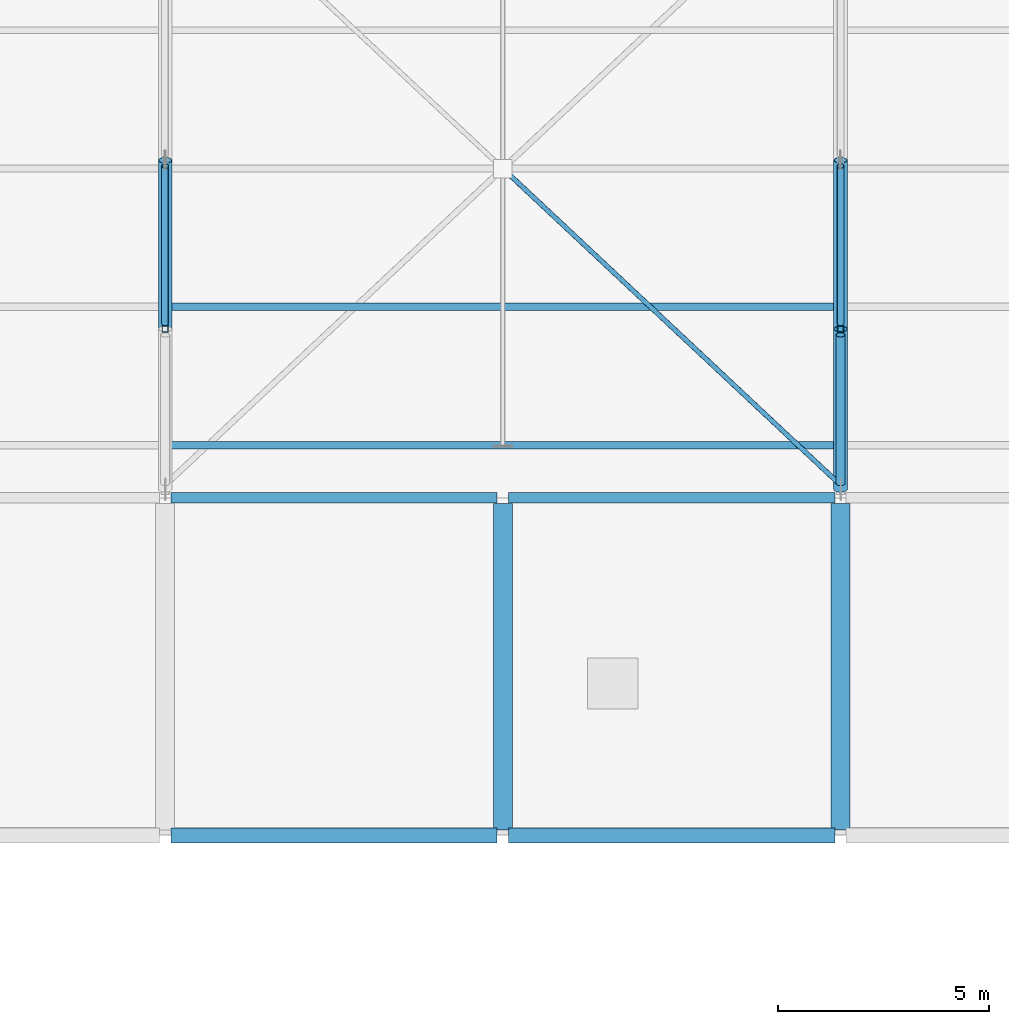
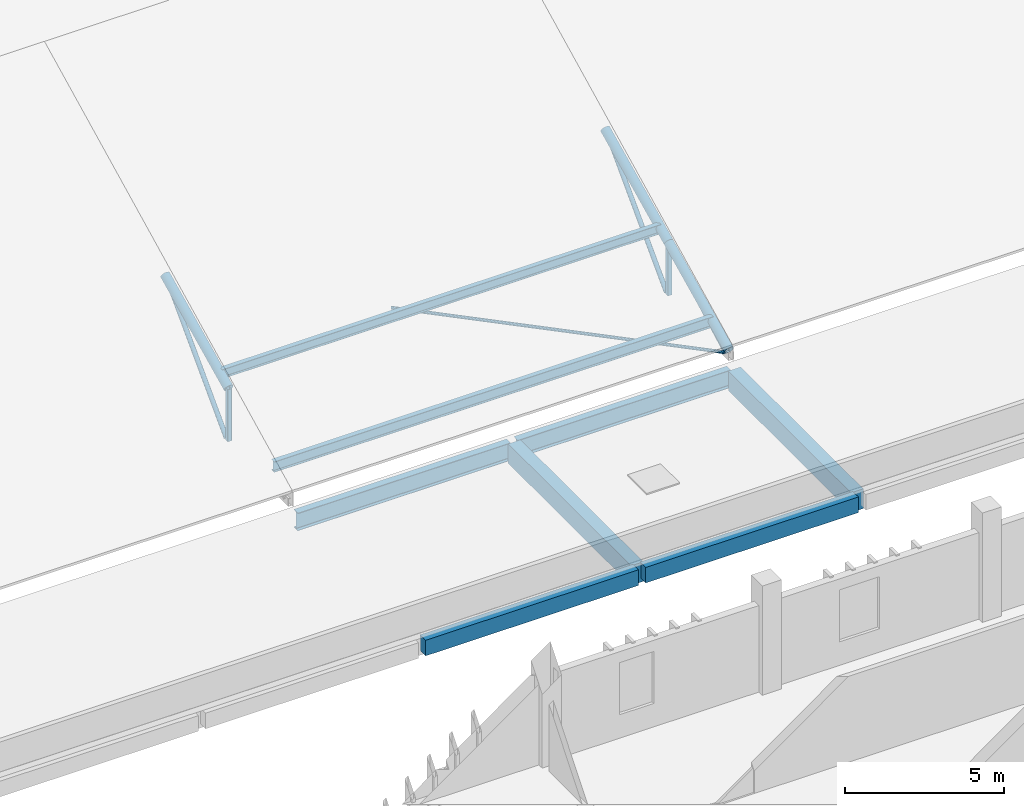
# One storey, part 69 of 137: 9 members, 8 beams.
"""IFC4 building model written with IfcOpenShell, lengths in metres."""

from ifc_helpers import new_model, si_unit, direction, frame, origin, origin_2d, place, context, subcontext, project, spatial, rectangle, hollow_rectangle, hollow_circle, i_section, extrude, material, material_profile, profile_set, type_object, element, save


model = new_model("IFC4")

# Units and contexts
model_context = context("Model", 3, precision=1e-05, world=origin(), true_north=direction((0.0, 1.0)))
body_context = subcontext(model_context, "Body", "Model", "MODEL_VIEW")
ifc_project = project(units=[si_unit("LENGTHUNIT", "METRE"), si_unit("AREAUNIT", "SQUARE_METRE"), si_unit("VOLUMEUNIT", "CUBIC_METRE"), si_unit("PLANEANGLEUNIT", "RADIAN"), si_unit("MASSUNIT", "GRAM", prefix="KILO")], contexts=[model_context])

# Site, building, storey
site_placement = place(None, origin())
site = spatial("IfcSite", under=ifc_project, at=site_placement, CompositionType="ELEMENT")
building_placement = place(site_placement, origin())
building = spatial("IfcBuilding", under=site, at=building_placement, Name="Jelvoka-Kovrelna Polytechnic", CompositionType="ELEMENT")
storey_placement = place(building_placement, frame((0.0, 0.0, 9.60009765625)))
storey = spatial("IfcBuildingStorey", under=building, at=storey_placement, Name="L03", CompositionType="ELEMENT", Elevation=9.60009765625)

# Beams
ifc_material_1 = material(Name="Concrete C40/50", Category="concrete")
ifc_material_profile_1 = material_profile(ifc_material_1, rectangle(XDim=0.449951171875, YDim=0.75, at=origin_2d()), Name="RC 450x750")
ifc_profile_set_1 = profile_set([ifc_material_profile_1], Name="Concrete C40/50")
beam_type_1 = type_object("IfcBeamType", Name="Beam_RC_450x750", PredefinedType="BEAM", material=ifc_profile_set_1)
for number, where, z_axis, x_axis, name in (
    (1, (160.0, 80.1337890625, -0.585205078125), (0.0, 1.0, 0.0), (-1.0, 0.0, 0.0), "L03 beam 2095"),
    (2, (168.0, 80.1337890625, -0.585205078125), (0.0, 1.0, 0.0), (-1.0, 0.0, 0.0), "L03 beam 2096"),
):
    element("IfcBeam", number, at=place(storey_placement, frame(where, z_axis=z_axis, x_axis=x_axis)), inside=storey, type_object=beam_type_1, Name=name, PredefinedType="BEAM", context=body_context, shape_type="SweptSolid", body=[
        extrude(rectangle(XDim=0.449951171875, YDim=0.75, at=origin_2d()), origin(), (0.0, 0.0, 1.0), 7.732421875),
    ])
ifc_material_2 = material(Name="Structural steel S355JR", Category="steel")
ifc_material_profile_2 = material_profile(ifc_material_2, i_section(OverallWidth=0.2529296875, OverallDepth=0.677978515625, WebThickness=0.01171875, FlangeThickness=0.01611328125, FilletRadius=0.01513671875, at=origin_2d()), Name="686x254x125 UB")
ifc_profile_set_2 = profile_set([ifc_material_profile_2], Name="Structural steel S355JR")
beam_type_2 = type_object("IfcBeamType", Name="Girder_Steel_UB686", PredefinedType="BEAM", material=ifc_profile_set_2)
for number, where, z_axis, x_axis, name in (
    (3, (152.1328125, 88.0, -0.549072265625), (1.0, 0.0, 0.0), (0.0, 1.0, 0.0), "L03 beam 0105"),
    (4, (160.1328125, 88.0, -0.549072265625), (1.0, 0.0, 0.0), (0.0, 1.0, 0.0), "L03 beam 0107"),
):
    element("IfcBeam", number, at=place(storey_placement, frame(where, z_axis=z_axis, x_axis=x_axis)), inside=storey, type_object=beam_type_2, Name=name, PredefinedType="BEAM", context=body_context, shape_type="SweptSolid", body=[
        extrude(i_section(OverallWidth=0.2529296875, OverallDepth=0.677978515625, WebThickness=0.01171875, FlangeThickness=0.01611328125, FilletRadius=0.01513671875, at=origin_2d()), origin(), (0.0, 0.0, 1.0), 7.734375),
    ])

# Members
ifc_material_3 = material(Name="Structural steel S355J2H", Category="steel")
ifc_material_profile_3 = material_profile(ifc_material_3, hollow_circle(Radius=0.05712890625, WallThickness=0.00634765625, at=origin_2d()), Name="114.3x6.3 CHS")
ifc_profile_set_3 = profile_set([ifc_material_profile_3], Name="Structural steel S355J2H")
member_type_1 = type_object("IfcMemberType", Name="Member_Brace_CHS114", PredefinedType="BRACE", material=ifc_profile_set_3)
member_1_placement = place(storey_placement, frame((160.065673828125, 95.738525390625, 0.14990234375), z_axis=(0.729679522085, -0.683789291412, 0.0), x_axis=(0.683789291412, 0.729679522085, 0.0)))
element("IfcMember", 5, at=member_1_placement, inside=storey, type_object=member_type_1, Name="Sawtooth roof split X-brace half-diagonal 0219B", PredefinedType="BRACE", context=body_context, shape_type="SweptSolid", body=[
    extrude(hollow_circle(Radius=0.05712890625, WallThickness=0.00634765625, at=origin_2d()), origin(), (0.0, 0.0, 1.0), 10.80517578125),
])
ifc_material_4 = material(Name="Structural steel S355J2H", Category="steel")
ifc_material_profile_4 = material_profile(ifc_material_4, hollow_circle(Radius=0.084228515625, WallThickness=0.008056640625, at=origin_2d()), Name="168.3x8.0 CHS")
ifc_profile_set_4 = profile_set([ifc_material_profile_4], Name="Structural steel S355J2H")
member_type_2 = type_object("IfcMemberType", Name="Member_Brace_CHS168", PredefinedType="BRACE", material=ifc_profile_set_4)
for number, where, z_axis, x_axis, name in (
    (6, (152.0, 92.139892578125, 0.14990234375), (0.0, 0.69521468222, 0.718802160282), (-1.0, 0.0, 0.0), "Sawtooth truss 5 diagonal web 1.2"),
    (7, (168.0, 92.139892578125, 0.14990234375), (0.0, 0.69521468222, 0.718802160282), (-1.0, 0.0, 0.0), "Sawtooth truss 6 diagonal web 1.2"),
):
    element("IfcMember", number, at=place(storey_placement, frame(where, z_axis=z_axis, x_axis=x_axis)), inside=storey, type_object=member_type_2, Name=name, PredefinedType="BRACE", context=body_context, shape_type="SweptSolid", body=[
        extrude(hollow_circle(Radius=0.084228515625, WallThickness=0.008056640625, at=origin_2d()), origin(), (0.0, 0.0, 1.0), 5.35107421875),
    ])
ifc_material_5 = material(Name="Structural steel S355J2H", Category="steel")
ifc_material_profile_5 = material_profile(ifc_material_5, hollow_circle(Radius=0.109619140625, WallThickness=0.008056640625, at=origin_2d()), Name="219.1x8.0 CHS")
ifc_profile_set_5 = profile_set([ifc_material_profile_5], Name="Structural steel S355J2H")
member_type_3 = type_object("IfcMemberType", Name="Member_Brace_CHS219", PredefinedType="BRACE", material=ifc_profile_set_5)
member_2_placement = place(storey_placement, frame((168.0, 88.340087890625, 0.14990234375), z_axis=(0.0, 0.878084029324, 0.478506465418), x_axis=(-1.0, 0.0, 0.0)))
element("IfcMember", 8, at=member_2_placement, inside=storey, type_object=member_type_3, Name="Sawtooth truss 6 diagonal web 1.1", PredefinedType="BRACE", context=body_context, shape_type="SweptSolid", body=[
    extrude(hollow_circle(Radius=0.109619140625, WallThickness=0.008056640625, at=origin_2d()), origin(), (0.0, 0.0, 1.0), 4.0087890625),
])
ifc_material_6 = material(Name="Structural steel S355J2H", Category="steel")
ifc_material_profile_6 = material_profile(ifc_material_6, hollow_circle(Radius=0.161865234375, WallThickness=0.010009765625, at=origin_2d()), Name="323.9x10.0 CHS")
ifc_profile_set_6 = profile_set([ifc_material_profile_6], Name="Structural steel S355J2H")
member_type_4 = type_object("IfcMemberType", Name="Member_Chord_CHS324", PredefinedType="CHORD", material=ifc_profile_set_6)
member_3_placement = place(storey_placement, frame((152.0, 92.0, 2.148193359375), z_axis=(0.0, 0.900799405566, 0.434235455637), x_axis=(-1.0, 0.0, 0.0)))
element("IfcMember", 9, at=member_3_placement, inside=storey, type_object=member_type_4, Name="Sawtooth truss 5 top chord 1.2", PredefinedType="CHORD", context=body_context, shape_type="SweptSolid", body=[
    extrude(hollow_circle(Radius=0.161865234375, WallThickness=0.010009765625, at=origin_2d()), origin(), (0.0, 0.0, 1.0), 4.4404296875),
])
member_4_placement = place(storey_placement, frame((168.0, 88.199951171875, 0.31640625), z_axis=(0.0, 0.900803851837, 0.434226231952), x_axis=(-1.0, 0.0, 0.0)))
element("IfcMember", 10, at=member_4_placement, inside=storey, type_object=member_type_4, Name="Sawtooth truss 6 top chord 1.1", PredefinedType="CHORD", context=body_context, shape_type="SweptSolid", body=[
    extrude(hollow_circle(Radius=0.161865234375, WallThickness=0.010009765625, at=origin_2d()), origin(), (0.0, 0.0, 1.0), 4.218505859375),
])
member_5_placement = place(storey_placement, frame((168.0, 92.0, 2.148193359375), z_axis=(0.0, 0.900799405566, 0.434235455637), x_axis=(-1.0, 0.0, 0.0)))
element("IfcMember", 11, at=member_5_placement, inside=storey, type_object=member_type_4, Name="Sawtooth truss 6 top chord 1.2", PredefinedType="CHORD", context=body_context, shape_type="SweptSolid", body=[
    extrude(hollow_circle(Radius=0.161865234375, WallThickness=0.010009765625, at=origin_2d()), origin(), (0.0, 0.0, 1.0), 4.4404296875),
])
ifc_material_7 = material(Name="Structural steel S355J2H", Category="steel")
ifc_material_profile_7 = material_profile(ifc_material_7, hollow_rectangle(XDim=0.14990234375, YDim=0.14990234375, WallThickness=0.008056640625, InnerFilletRadius=0.008056640625, OuterFilletRadius=0.011962890625, at=origin_2d()), Name="150x150x8.0 SHS")
ifc_profile_set_7 = profile_set([ifc_material_profile_7], Name="Structural steel S355J2H")
member_type_5 = type_object("IfcMemberType", Name="Member_Post_SHS150", PredefinedType="POST", material=ifc_profile_set_7)
for number, where, z_axis, x_axis, name in (
    (12, (152.0, 92.0, 0.14990234375), (0.0, 0.0, 1.0), (1.0, 0.0, 0.0), "Sawtooth truss 5 web post 1.2"),
    (13, (168.0, 92.0, 0.14990234375), (0.0, 0.0, 1.0), (1.0, 0.0, 0.0), "Sawtooth truss 6 web post 1.2"),
):
    element("IfcMember", number, at=place(storey_placement, frame(where, z_axis=z_axis, x_axis=x_axis)), inside=storey, type_object=member_type_5, Name=name, PredefinedType="POST", context=body_context, shape_type="SweptSolid", body=[
        extrude(hollow_rectangle(XDim=0.14990234375, YDim=0.14990234375, WallThickness=0.008056640625, InnerFilletRadius=0.008056640625, OuterFilletRadius=0.011962890625, at=origin_2d()), origin(), (0.0, 0.0, 1.0), 1.998291015625),
    ])

# Beams
ifc_material_8 = material(Name="Structural steel S355JR", Category="steel")
ifc_material_profile_8 = material_profile(ifc_material_8, i_section(OverallWidth=0.17138671875, OverallDepth=0.35498046875, WebThickness=0.00732421875, FlangeThickness=0.011474609375, FilletRadius=0.01025390625, at=origin_2d()), Name="356x171x51 UB")
ifc_profile_set_8 = profile_set([ifc_material_profile_8], Name="Structural steel S355JR")
beam_type_3 = type_object("IfcBeamType", Name="Purlin_Steel_UB356", PredefinedType="JOIST", material=ifc_profile_set_8)
beam_1_placement = place(storey_placement, frame((152.02001953125, 92.52392578125, 2.400634765625), z_axis=(1.0, 0.0, 0.0), x_axis=(0.0, 1.0, 0.0)))
element("IfcBeam", 14, at=beam_1_placement, inside=storey, type_object=beam_type_3, Name="Sawtooth roof purlin 042", PredefinedType="JOIST", context=body_context, shape_type="SweptSolid", body=[
    extrude(i_section(OverallWidth=0.17138671875, OverallDepth=0.35498046875, WebThickness=0.00732421875, FlangeThickness=0.011474609375, FilletRadius=0.01025390625, at=origin_2d()), origin(), (0.0, 0.0, 1.0), 15.9599609375),
])
ifc_material_9 = material(Name="Structural steel S355JR", Category="steel")
ifc_material_profile_9 = material_profile(ifc_material_9, i_section(OverallWidth=0.177978515625, OverallDepth=0.406494140625, WebThickness=0.0078125, FlangeThickness=0.0126953125, FilletRadius=0.01025390625, at=origin_2d()), Name="406x178x60 UB")
ifc_profile_set_9 = profile_set([ifc_material_profile_9], Name="Structural steel S355JR")
beam_type_4 = type_object("IfcBeamType", Name="Purlin_Steel_UB406", PredefinedType="JOIST", material=ifc_profile_set_9)
beam_2_placement = place(storey_placement, frame((152.02001953125, 89.248046875, 0.821533203125), z_axis=(1.0, 0.0, 0.0), x_axis=(0.0, 1.0, 0.0)))
element("IfcBeam", 15, at=beam_2_placement, inside=storey, type_object=beam_type_4, Name="Sawtooth roof purlin 041", PredefinedType="JOIST", context=body_context, shape_type="SweptSolid", body=[
    extrude(i_section(OverallWidth=0.177978515625, OverallDepth=0.406494140625, WebThickness=0.0078125, FlangeThickness=0.0126953125, FilletRadius=0.01025390625, at=origin_2d()), origin(), (0.0, 0.0, 1.0), 15.9599609375),
])
ifc_material_10 = material(Name="Concrete C40/50", Category="concrete")
ifc_material_profile_10 = material_profile(ifc_material_10, rectangle(XDim=0.35009765625, YDim=0.60009765625, at=origin_2d()), Name="RC 350x600")
ifc_profile_set_10 = profile_set([ifc_material_profile_10], Name="Concrete C40/50")
beam_type_5 = type_object("IfcBeamType", Name="Spandrel_RC_350x600", PredefinedType="SPANDREL", material=ifc_profile_set_10)
for number, where, z_axis, x_axis, name in (
    (16, (152.1328125, 80.0, -0.510009765625), (1.0, 0.0, 0.0), (0.0, 1.0, 0.0), "L03 beam 2080"),
    (17, (160.1328125, 80.0, -0.510009765625), (1.0, 0.0, 0.0), (0.0, 1.0, 0.0), "L03 beam 2081"),
):
    element("IfcBeam", number, at=place(storey_placement, frame(where, z_axis=z_axis, x_axis=x_axis)), inside=storey, type_object=beam_type_5, Name=name, PredefinedType="SPANDREL", context=body_context, shape_type="SweptSolid", body=[
        extrude(rectangle(XDim=0.35009765625, YDim=0.60009765625, at=origin_2d()), origin(), (0.0, 0.0, 1.0), 7.734375),
    ])

save(model, "model.ifc")
